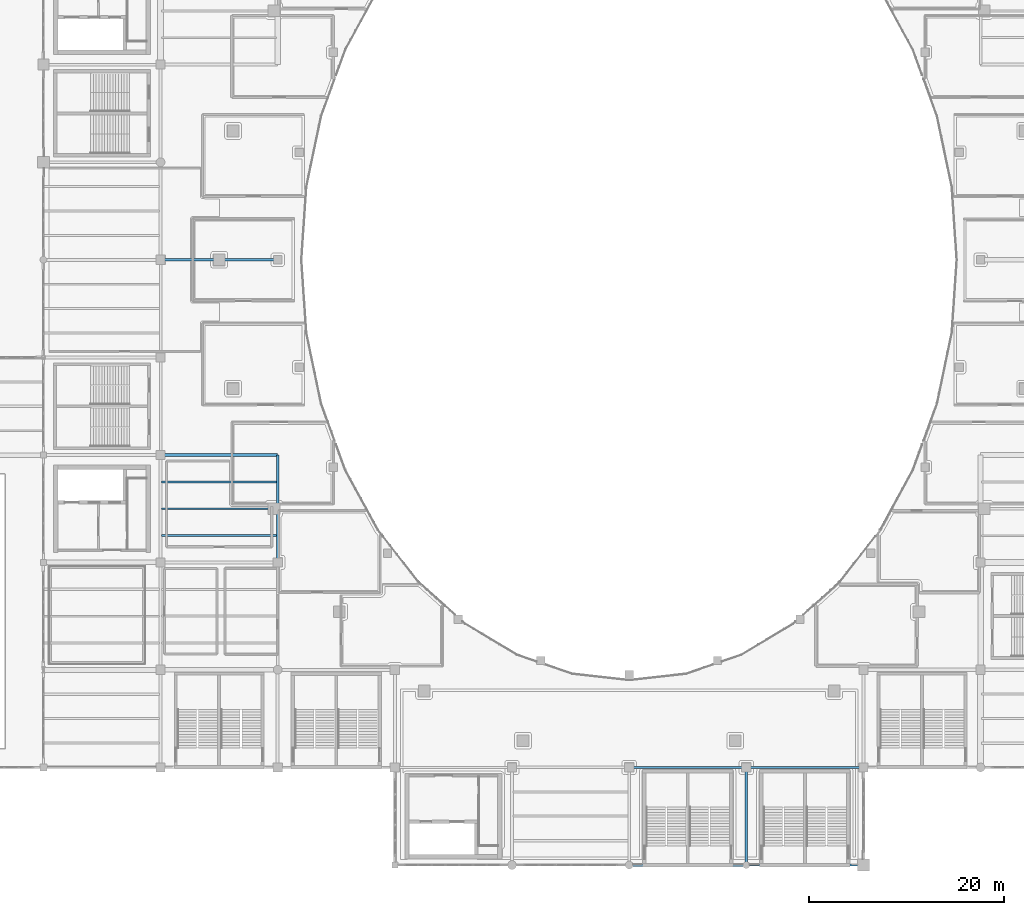
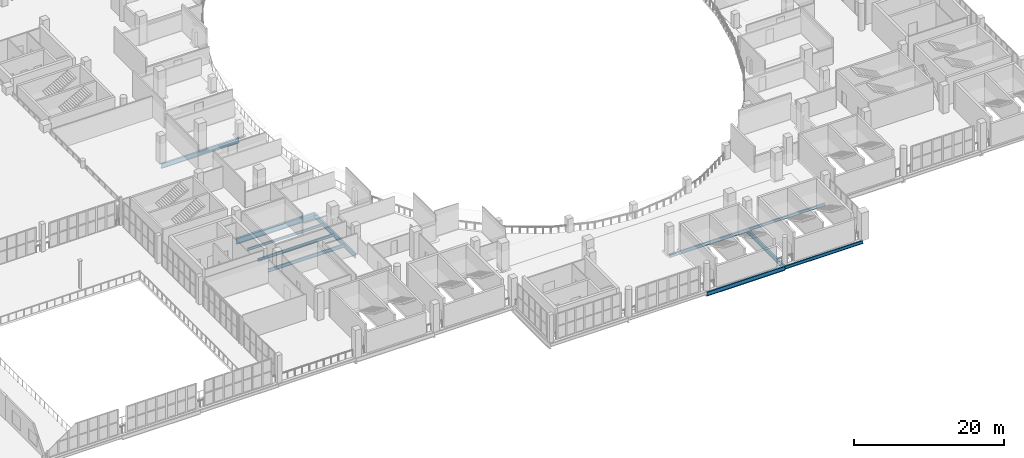
# One storey, part 21 of 90: 11 beams.
"""IFC4 building model written with IfcOpenShell, lengths in metres."""

from ifc_helpers import new_model, si_unit, direction, frame, origin, origin_2d, place, context, subcontext, project, spatial, i_section, extrude, material, material_profile, profile_set, type_object, element, save


model = new_model("IFC4")

# Units and contexts
model_context = context("Model", 3, precision=1e-05, world=origin(), true_north=direction((0.0, 1.0)))
body_context = subcontext(model_context, "Body", "Model", "MODEL_VIEW")
ifc_project = project(units=[si_unit("LENGTHUNIT", "METRE"), si_unit("AREAUNIT", "SQUARE_METRE"), si_unit("VOLUMEUNIT", "CUBIC_METRE"), si_unit("PLANEANGLEUNIT", "RADIAN"), si_unit("MASSUNIT", "GRAM", prefix="KILO")], contexts=[model_context])

# Site, building, storey
site_placement = place(None, origin())
site = spatial("IfcSite", under=ifc_project, at=site_placement, CompositionType="ELEMENT")
building_placement = place(site_placement, origin())
building = spatial("IfcBuilding", under=site, at=building_placement, Name="Brinegate Civic Arena", CompositionType="ELEMENT")
storey_placement = place(building_placement, frame((0.0, 0.0, 14.699951171875)))
storey = spatial("IfcBuildingStorey", under=building, at=storey_placement, Name="L03", CompositionType="ELEMENT", Elevation=14.699951171875)

# Beams
ifc_material = material(Name="Steel S355", Category="steel")
ifc_material_profile_1 = material_profile(ifc_material, i_section(OverallWidth=0.256103515625, OverallDepth=0.693115234375, WebThickness=0.014892578125, FlangeThickness=0.02392578125, FilletRadius=0.01806640625, at=origin_2d()), Name="W690X170")
ifc_profile_set_1 = profile_set([ifc_material_profile_1], Name="Steel S355")
beam_type_1 = type_object("IfcBeamType", Name="GIRDER-W690X170", PredefinedType="BEAM", material=ifc_profile_set_1)
beam_1_placement = place(storey_placement, frame((120.0, 0.0, -0.696044921875), z_axis=(0.0, 1.0, 0.0), x_axis=(-1.0, 0.0, 0.0)))
element("IfcBeam", 1, at=beam_1_placement, inside=storey, type_object=beam_type_1, Name="Floor Girder BM-L03-GY-10-00", PredefinedType="BEAM", context=body_context, shape_type="SweptSolid", body=[
    extrude(i_section(OverallWidth=0.256103515625, OverallDepth=0.693115234375, WebThickness=0.014892578125, FlangeThickness=0.02392578125, FilletRadius=0.01806640625, at=origin_2d()), origin(), (0.0, 0.0, 1.0), 10.0),
])
ifc_material_profile_2 = material_profile(ifc_material, i_section(OverallWidth=0.26806640625, OverallDepth=0.77001953125, WebThickness=0.01611328125, FlangeThickness=0.02490234375, FilletRadius=0.02001953125, at=origin_2d()), Name="W760X196")
ifc_profile_set_2 = profile_set([ifc_material_profile_2], Name="Steel S355")
beam_type_2 = type_object("IfcBeamType", Name="GIRDER-W760X196", PredefinedType="BEAM", material=ifc_profile_set_2)
beam_2_placement = place(storey_placement, frame((60.0, 62.0, -0.73486328125), z_axis=(1.0, 0.0, 0.0), x_axis=(0.0, 1.0, 0.0)))
element("IfcBeam", 2, at=beam_2_placement, inside=storey, type_object=beam_type_2, Name="Floor Girder BM-L03-GX-05-06", PredefinedType="BEAM", context=body_context, shape_type="SweptSolid", body=[
    extrude(i_section(OverallWidth=0.26806640625, OverallDepth=0.77001953125, WebThickness=0.01611328125, FlangeThickness=0.02490234375, FilletRadius=0.02001953125, at=origin_2d()), origin(), (0.0, 0.0, 1.0), 12.0),
])
beam_3_placement = place(storey_placement, frame((72.0, 31.0, -0.73486328125), z_axis=(0.0, 1.0, 0.0), x_axis=(-1.0, 0.0, 0.0)))
element("IfcBeam", 3, at=beam_3_placement, inside=storey, type_object=beam_type_2, Name="Floor Girder BM-L03-GY-06-03", PredefinedType="BEAM", context=body_context, shape_type="SweptSolid", body=[
    extrude(i_section(OverallWidth=0.26806640625, OverallDepth=0.77001953125, WebThickness=0.01611328125, FlangeThickness=0.02490234375, FilletRadius=0.02001953125, at=origin_2d()), origin(), (0.0, 0.0, 1.0), 11.0),
])
ifc_material_profile_3 = material_profile(ifc_material, i_section(OverallWidth=0.30810546875, OverallDepth=0.927001953125, WebThickness=0.01904296875, FlangeThickness=0.031982421875, FilletRadius=0.02392578125, at=origin_2d()), Name="W920X289")
ifc_profile_set_3 = profile_set([ifc_material_profile_3], Name="Steel S355")
beam_type_3 = type_object("IfcBeamType", Name="GIRDER-W920X289", PredefinedType="BEAM", material=ifc_profile_set_3)
beam_4_placement = place(storey_placement, frame((60.0, 42.0, -0.81298828125), z_axis=(1.0, 0.0, 0.0), x_axis=(0.0, 1.0, 0.0)))
element("IfcBeam", 4, at=beam_4_placement, inside=storey, type_object=beam_type_3, Name="Floor Girder BM-L03-GX-05-04", PredefinedType="BEAM", context=body_context, shape_type="SweptSolid", body=[
    extrude(i_section(OverallWidth=0.30810546875, OverallDepth=0.927001953125, WebThickness=0.01904296875, FlangeThickness=0.031982421875, FilletRadius=0.02392578125, at=origin_2d()), origin(), (0.0, 0.0, 1.0), 12.0),
])
ifc_material_profile_4 = material_profile(ifc_material, i_section(OverallWidth=0.179931640625, OverallDepth=0.4130859375, WebThickness=0.010009765625, FlangeThickness=0.01611328125, FilletRadius=0.013916015625, at=origin_2d()), Name="W410X75")
ifc_profile_set_4 = profile_set([ifc_material_profile_4], Name="Steel S355")
beam_type_4 = type_object("IfcBeamType", Name="JOIST-W410X75", PredefinedType="JOIST", material=ifc_profile_set_4)
beam_5_placement = place(storey_placement, frame((60.10595703125, 39.25, -0.555908203125), z_axis=(1.0, 0.0, 0.0), x_axis=(0.0, 1.0, 0.0)))
element("IfcBeam", 5, at=beam_5_placement, inside=storey, type_object=beam_type_4, Name="Secondary Joist BM-L03-JX-05-03-3", PredefinedType="JOIST", context=body_context, shape_type="SweptSolid", body=[
    extrude(i_section(OverallWidth=0.179931640625, OverallDepth=0.4130859375, WebThickness=0.010009765625, FlangeThickness=0.01611328125, FilletRadius=0.013916015625, at=origin_2d()), origin(), (0.0, 0.0, 1.0), 11.7880859375),
])
ifc_material_profile_5 = material_profile(ifc_material, i_section(OverallWidth=0.193115234375, OverallDepth=0.466064453125, WebThickness=0.010986328125, FlangeThickness=0.01904296875, FilletRadius=0.014892578125, at=origin_2d()), Name="W460X97")
ifc_profile_set_5 = profile_set([ifc_material_profile_5], Name="Steel S355")
beam_type_5 = type_object("IfcBeamType", Name="JOIST-W460X97", PredefinedType="JOIST", material=ifc_profile_set_5)
beam_6_placement = place(storey_placement, frame((60.10595703125, 36.5, -0.5830078125), z_axis=(1.0, 0.0, 0.0), x_axis=(0.0, 1.0, 0.0)))
element("IfcBeam", 6, at=beam_6_placement, inside=storey, type_object=beam_type_5, Name="Secondary Joist BM-L03-JX-05-03-2", PredefinedType="JOIST", context=body_context, shape_type="SweptSolid", body=[
    extrude(i_section(OverallWidth=0.193115234375, OverallDepth=0.466064453125, WebThickness=0.010986328125, FlangeThickness=0.01904296875, FilletRadius=0.014892578125, at=origin_2d()), origin(), (0.0, 0.0, 1.0), 11.7880859375),
])
ifc_material_profile_6 = material_profile(ifc_material, i_section(OverallWidth=0.2119140625, OverallDepth=0.5439453125, WebThickness=0.012939453125, FlangeThickness=0.02099609375, FilletRadius=0.01611328125, at=origin_2d()), Name="W530X123")
ifc_profile_set_6 = profile_set([ifc_material_profile_6], Name="Steel S355")
beam_type_6 = type_object("IfcBeamType", Name="JOIST-W530X123", PredefinedType="JOIST", material=ifc_profile_set_6)
beam_7_placement = place(storey_placement, frame((60.10595703125, 33.75, -0.6220703125), z_axis=(1.0, 0.0, 0.0), x_axis=(0.0, 1.0, 0.0)))
element("IfcBeam", 7, at=beam_7_placement, inside=storey, type_object=beam_type_6, Name="Secondary Joist BM-L03-JX-05-03-1", PredefinedType="JOIST", context=body_context, shape_type="SweptSolid", body=[
    extrude(i_section(OverallWidth=0.2119140625, OverallDepth=0.5439453125, WebThickness=0.012939453125, FlangeThickness=0.02099609375, FilletRadius=0.01611328125, at=origin_2d()), origin(), (0.0, 0.0, 1.0), 11.7880859375),
])
ifc_material_profile_7 = material_profile(ifc_material, i_section(OverallWidth=0.193115234375, OverallDepth=0.466064453125, WebThickness=0.010986328125, FlangeThickness=0.01904296875, FilletRadius=0.014892578125, at=origin_2d()), Name="W460X97")
ifc_profile_set_7 = profile_set([ifc_material_profile_7], Name="Steel S355")
beam_type_7 = type_object("IfcBeamType", Name="SPANDREL-W460X97", PredefinedType="SPANDREL", material=ifc_profile_set_7)
beam_8_placement = place(storey_placement, frame((120.0, 10.0, -0.5830078125), z_axis=(1.0, 0.0, 0.0), x_axis=(0.0, 1.0, 0.0)))
element("IfcBeam", 8, at=beam_8_placement, inside=storey, type_object=beam_type_7, Name="Floor Girder BM-L03-GX-10-01", PredefinedType="SPANDREL", context=body_context, shape_type="SweptSolid", body=[
    extrude(i_section(OverallWidth=0.193115234375, OverallDepth=0.466064453125, WebThickness=0.010986328125, FlangeThickness=0.01904296875, FilletRadius=0.014892578125, at=origin_2d()), origin(), (0.0, 0.0, 1.0), 12.0),
])
ifc_material_profile_8 = material_profile(ifc_material, i_section(OverallWidth=0.2119140625, OverallDepth=0.5439453125, WebThickness=0.012939453125, FlangeThickness=0.02099609375, FilletRadius=0.01611328125, at=origin_2d()), Name="W530X123")
ifc_profile_set_8 = profile_set([ifc_material_profile_8], Name="Steel S355")
beam_type_8 = type_object("IfcBeamType", Name="SPANDREL-W530X123", PredefinedType="SPANDREL", material=ifc_profile_set_8)
for number, where, z_axis, x_axis, name in (
    (9, (120.0, 0.0, -0.6220703125), (1.0, 0.0, 0.0), (0.0, 1.0, 0.0), "Floor Girder BM-L03-GX-10-00"),
    (10, (108.0, 10.0, -0.6220703125), (1.0, 0.0, 0.0), (0.0, 1.0, 0.0), "Floor Girder BM-L03-GX-09-01"),
):
    element("IfcBeam", number, at=place(storey_placement, frame(where, z_axis=z_axis, x_axis=x_axis)), inside=storey, type_object=beam_type_8, Name=name, PredefinedType="SPANDREL", context=body_context, shape_type="SweptSolid", body=[
        extrude(i_section(OverallWidth=0.2119140625, OverallDepth=0.5439453125, WebThickness=0.012939453125, FlangeThickness=0.02099609375, FilletRadius=0.01611328125, at=origin_2d()), origin(), (0.0, 0.0, 1.0), 12.0),
    ])
ifc_material_profile_9 = material_profile(ifc_material, i_section(OverallWidth=0.256103515625, OverallDepth=0.693115234375, WebThickness=0.014892578125, FlangeThickness=0.02392578125, FilletRadius=0.01806640625, at=origin_2d()), Name="W690X170")
ifc_profile_set_9 = profile_set([ifc_material_profile_9], Name="Steel S355")
beam_type_9 = type_object("IfcBeamType", Name="SPANDREL-W690X170", PredefinedType="SPANDREL", material=ifc_profile_set_9)
beam_9_placement = place(storey_placement, frame((108.0, 0.0, -0.696044921875), z_axis=(1.0, 0.0, 0.0), x_axis=(0.0, 1.0, 0.0)))
element("IfcBeam", 11, at=beam_9_placement, inside=storey, type_object=beam_type_9, Name="Floor Girder BM-L03-GX-09-00", PredefinedType="SPANDREL", context=body_context, shape_type="SweptSolid", body=[
    extrude(i_section(OverallWidth=0.256103515625, OverallDepth=0.693115234375, WebThickness=0.014892578125, FlangeThickness=0.02392578125, FilletRadius=0.01806640625, at=origin_2d()), origin(), (0.0, 0.0, 1.0), 12.0),
])

save(model, "model.ifc")
